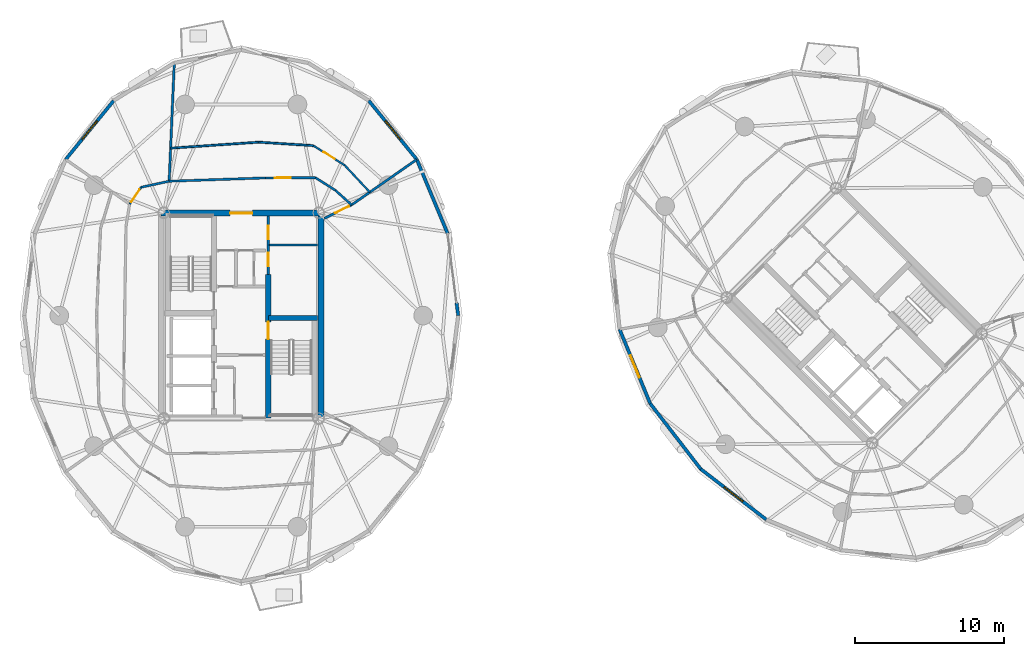
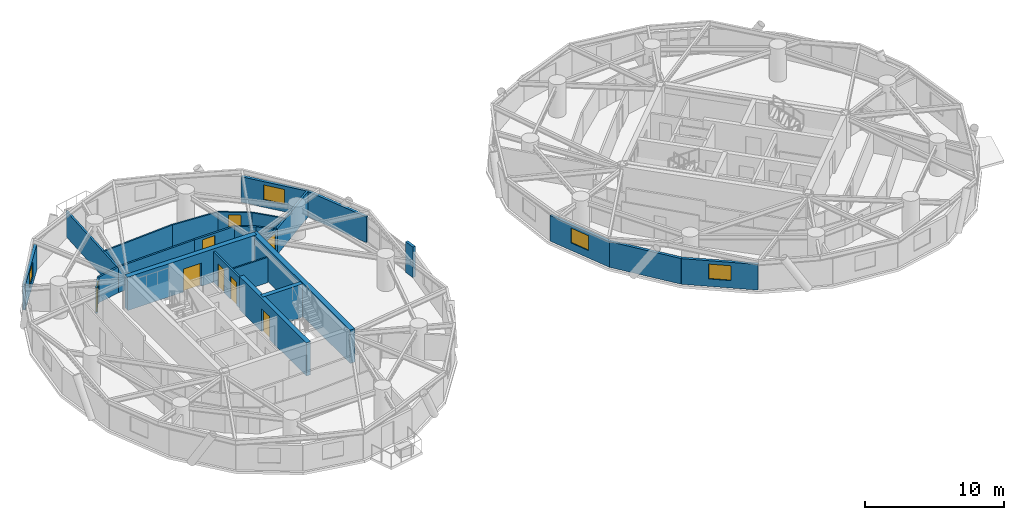
# One storey, part 10 of 17: 26 walls, 8 doors, 4 windows, 12 openings.
"""IFC4 building model written with IfcOpenShell, lengths in metres."""

from ifc_helpers import new_model, si_unit, direction, frame, frame_2d, origin, place, context, subcontext, project, spatial, rectangle, extrude, source, transform, mapped, material, layer, layer_set, type_object, element, fill, save


model = new_model("IFC4")

# Units and contexts
model_context = context("Model", 3, precision=1e-05, world=origin(), true_north=direction((0.0, 1.0)))
body_context = subcontext(model_context, "Body", "Model", "MODEL_VIEW")
ifc_project = project(units=[si_unit("LENGTHUNIT", "METRE"), si_unit("AREAUNIT", "SQUARE_METRE"), si_unit("VOLUMEUNIT", "CUBIC_METRE"), si_unit("PLANEANGLEUNIT", "RADIAN"), si_unit("MASSUNIT", "GRAM", prefix="KILO")], contexts=[model_context])

# Site, building, storey
site_placement = place(None, origin())
site = spatial("IfcSite", under=ifc_project, at=site_placement, CompositionType="ELEMENT")
building_placement = place(site_placement, origin())
building = spatial("IfcBuilding", under=site, at=building_placement, Name="Cununo Teusaquillo Station Towers", CompositionType="ELEMENT")
storey_placement = place(building_placement, frame((0.0, 0.0, 163.239990234375)))
storey = spatial("IfcBuildingStorey", under=building, at=storey_placement, Name="L51", CompositionType="ELEMENT", Elevation=163.239990234375)

# Wall, opening, door
ifc_material_1 = material(Name="Concrete C50/60", Category="concrete")
ifc_layer_1 = layer(ifc_material_1, 0.35009765625)
ifc_layer_set_1 = layer_set([ifc_layer_1], Name="Concrete C50/60")
wall_type_1 = type_object("IfcWallType", Name="WL-CORE-350", PredefinedType="SHEAR", material=ifc_layer_set_1)
wall_1_placement = place(storey_placement, frame((18.31494140625, 17.64990234375, 0.0), z_axis=(0.0, 0.0, 1.0), x_axis=(0.0, 1.0, 0.0)))
wall_1 = element("IfcWall", 1, at=wall_1_placement, inside=storey, type_object=wall_type_1, Name="L51 Tower A Core Shear Wall IE", PredefinedType="SHEAR", context=body_context, shape_type="SweptSolid", body=[
    extrude(rectangle(XDim=9.60009765625, YDim=0.35009765625, at=frame_2d((4.800048828125, 0.0))), origin(), (0.0, 0.0, 1.0), 2.909912109375),
])
shared_shape_1 = source(origin(), body_context, "Body", "SweptSolid", [
    extrude(rectangle(XDim=1.14990234375, YDim=2.02001953125, at=frame_2d((0.574951171875, 1.010009765625))), frame((0.0, 0.18505859375, 0.0), z_axis=(0.0, -1.0, 0.0), x_axis=(1.0, 0.0, 0.0)), (0.0, 0.0, 1.0), 0.3701171875),
])
opening_1_placement = place(wall_1_placement, frame((5.280029296875, 0.0, 0.0)))
opening_1 = element("IfcOpeningElement", 2, at=opening_1_placement, cuts=wall_1, Name="Opening D-ST1", PredefinedType="OPENING", context=body_context, shape_type="MappedRepresentation", body=[
    mapped(shared_shape_1, transform((0.0, 0.0, 0.0), x_axis=(1.0, 0.0, 0.0), y_axis=(0.0, 1.0, 0.0), z_axis=(0.0, 0.0, 1.0), scale=1.0)),
])
ifc_material_2 = material(Name="Galvanised fire-rated hollow steel door assembly", Category="steel")
door_type_1 = type_object("IfcDoorType", Name="DR-STAIR-1150", OperationType="NOTDEFINED", PredefinedType="DOOR", material=ifc_material_2)
shared_shape_2 = source(origin(), body_context, "Body", "SweptSolid", [
    extrude(rectangle(XDim=1.14990234375, YDim=2.02001953125, at=frame_2d((0.574951171875, 1.010009765625))), frame((0.0, 0.02490234375, 0.0), z_axis=(0.0, -1.0, 0.0), x_axis=(1.0, 0.0, 0.0)), (0.0, 0.0, 1.0), 0.050048828125),
])
door_1_placement = place(opening_1_placement, origin())
door_1 = element("IfcDoor", 3, at=door_1_placement, inside=storey, type_object=door_type_1, Name="L51 Tower A Exit Stair 2 Fire Door", OperationType="SINGLE_SWING_LEFT", OverallHeight=2.02001953125, OverallWidth=1.14990234375, PredefinedType="DOOR", context=body_context, shape_type="MappedRepresentation", body=[
    mapped(shared_shape_2, transform((0.0, 0.0, 0.0), x_axis=(1.0, 0.0, 0.0), y_axis=(0.0, 1.0, 0.0), z_axis=(0.0, 0.0, 1.0), scale=1.0)),
])
fill(opening_1, door_1)

# Walls
wall_2_placement = place(storey_placement, frame((18.31494140625, 24.344970703125, 0.0), z_axis=(0.0, 0.0, 1.0), x_axis=(1.0, 0.0, 0.0)))
element("IfcWall", 4, at=wall_2_placement, inside=storey, type_object=wall_type_1, Name="L51 Tower A Core Shear Wall ST2N", PredefinedType="SHEAR", context=body_context, shape_type="SweptSolid", body=[
    extrude(rectangle(XDim=3.28515625, YDim=0.35009765625, at=frame_2d((1.642578125, 0.0))), origin(), (0.0, 0.0, 1.0), 2.909912109375),
])
ifc_material_3 = material(Name="Concrete C50/60", Category="concrete")
ifc_layer_2 = layer(ifc_material_3, 0.39990234375)
ifc_layer_set_2 = layer_set([ifc_layer_2], Name="Concrete C50/60")
wall_type_2 = type_object("IfcWallType", Name="WL-CORE-400", PredefinedType="SHEAR", material=ifc_layer_set_2)
wall_3_placement = place(storey_placement, frame((21.85009765625, 17.449951171875, 0.0), z_axis=(0.0, 0.0, 1.0), x_axis=(0.0, 1.0, 0.0)))
element("IfcWall", 5, at=wall_3_placement, inside=storey, type_object=wall_type_2, Name="L51 Tower A Core Shear Wall E", PredefinedType="SHEAR", context=body_context, shape_type="SweptSolid", body=[
    extrude(rectangle(XDim=14.10009765625, YDim=0.39990234375, at=frame_2d((7.050048828125, 0.0))), origin(), (0.0, 0.0, 1.0), 2.909912109375),
])

# Wall, opening, door
wall_4_placement = place(storey_placement, frame((11.14990234375, 31.35009765625, 0.0), z_axis=(0.0, 0.0, 1.0), x_axis=(1.0, 0.0, 0.0)))
wall_4 = element("IfcWall", 6, at=wall_4_placement, inside=storey, type_object=wall_type_2, Name="L51 Tower A Core Shear Wall N", PredefinedType="SHEAR", context=body_context, shape_type="SweptSolid", body=[
    extrude(rectangle(XDim=10.7001953125, YDim=0.39990234375, at=frame_2d((5.35009765625, 0.0))), origin(), (0.0, 0.0, 1.0), 2.909912109375),
])
shared_shape_3 = source(origin(), body_context, "Body", "SweptSolid", [
    extrude(rectangle(XDim=1.5, YDim=2.02001953125, at=frame_2d((0.75, 1.010009765625))), frame((0.0, 0.2099609375, 0.0), z_axis=(0.0, -1.0, 0.0), x_axis=(1.0, 0.0, 0.0)), (0.0, 0.0, 1.0), 0.419921875),
])
opening_2_placement = place(wall_4_placement, frame((4.60009765625, 0.0, 0.0)))
opening_2 = element("IfcOpeningElement", 7, at=opening_2_placement, cuts=wall_4, Name="Opening D-LB1", PredefinedType="OPENING", context=body_context, shape_type="MappedRepresentation", body=[
    mapped(shared_shape_3, transform((0.0, 0.0, 0.0), x_axis=(1.0, 0.0, 0.0), y_axis=(0.0, 1.0, 0.0), z_axis=(0.0, 0.0, 1.0), scale=1.0)),
])
ifc_material_4 = material(Name="Galvanised fire-rated hollow steel door assembly", Category="steel")
door_type_2 = type_object("IfcDoorType", Name="DR-LOBBY-1500", OperationType="DOUBLE_DOOR_SINGLE_SWING", PredefinedType="DOOR", material=ifc_material_4)
shared_shape_4 = source(origin(), body_context, "Body", "SweptSolid", [
    extrude(rectangle(XDim=1.5, YDim=2.02001953125, at=frame_2d((0.75, 1.010009765625))), frame((0.0, 0.02490234375, 0.0), z_axis=(0.0, -1.0, 0.0), x_axis=(1.0, 0.0, 0.0)), (0.0, 0.0, 1.0), 0.050048828125),
])
door_2_placement = place(opening_2_placement, origin())
door_2 = element("IfcDoor", 8, at=door_2_placement, inside=storey, type_object=door_type_2, Name="L51 Tower A North Core Lift Lobby Door", OperationType="DOUBLE_DOOR_SINGLE_SWING", OverallHeight=2.02001953125, OverallWidth=1.5, PredefinedType="DOOR", context=body_context, shape_type="MappedRepresentation", body=[
    mapped(shared_shape_4, transform((0.0, 0.0, 0.0), x_axis=(1.0, 0.0, 0.0), y_axis=(0.0, 1.0, 0.0), z_axis=(0.0, 0.0, 1.0), scale=1.0)),
])
fill(opening_2, door_2)

# Walls
ifc_material_5 = material(Name="Precast concrete C40/50", Category="concrete")
ifc_layer_3 = layer(ifc_material_5, 0.219970703125)
ifc_layer_set_3 = layer_set([ifc_layer_3], Name="Precast concrete C40/50")
wall_type_3 = type_object("IfcWallType", Name="WL-EXT-220", PredefinedType="SOLIDWALL", material=ifc_layer_set_3)
wall_5_placement = place(storey_placement, frame((30.9033203125, 25.36279296875, 0.0), z_axis=(0.0, 0.0, 1.0), x_axis=(0.128247365719, -0.991742211054, 0.0)))
element("IfcWall", 9, at=wall_5_placement, inside=storey, type_object=wall_type_3, Name="L51 Tower A Column Pier Cladding Wall C00-PB", PredefinedType="SOLIDWALL", context=body_context, shape_type="SweptSolid", body=[
    extrude(rectangle(XDim=0.869873046875, YDim=0.219970703125, at=frame_2d((0.43505859375, 0.0))), origin(), (0.0, 0.0, 1.0), 2.675048828125),
])
wall_6_placement = place(storey_placement, frame((28.242919921875, 34.94482421875, 0.0), z_axis=(0.0, 0.0, 1.0), x_axis=(0.384259959969, -0.923224936386, 0.0)))
element("IfcWall", 10, at=wall_6_placement, inside=storey, type_object=wall_type_3, Name="L51 Tower A Exterior Facade Wall C01", PredefinedType="SOLIDWALL", context=body_context, shape_type="SweptSolid", body=[
    extrude(rectangle(XDim=5.365478515625, YDim=0.219970703125, at=frame_2d((2.6826171875, 0.0))), origin(), (0.0, 0.0, 1.0), 2.2451171875),
])

# Wall, opening, window
wall_7_placement = place(storey_placement, frame((25.03173828125, 38.876220703125, 0.0), z_axis=(0.0, 0.0, 1.0), x_axis=(0.632598524901, -0.774479894053, 0.0)))
wall_7 = element("IfcWall", 11, at=wall_7_placement, inside=storey, type_object=wall_type_3, Name="L51 Tower A Exterior Facade Wall C02", PredefinedType="SOLIDWALL", context=body_context, shape_type="SweptSolid", body=[
    extrude(rectangle(XDim=5.076171875, YDim=0.219970703125, at=frame_2d((2.5380859375, 0.0))), origin(), (0.0, 0.0, 1.0), 2.2451171875),
])
shared_shape_5 = source(origin(), body_context, "Body", "SweptSolid", [
    extrude(rectangle(XDim=1.60009765625, YDim=1.300048828125, at=frame_2d((0.800048828125, 0.64990234375))), frame((0.0, 0.119873046875, 0.0), z_axis=(0.0, -1.0, 0.0), x_axis=(1.0, 0.0, 0.0)), (0.0, 0.0, 1.0), 0.239990234375),
])
opening_3_placement = place(wall_7_placement, frame((1.738037109375, 0.0, 0.64990234375)))
opening_3 = element("IfcOpeningElement", 12, at=opening_3_placement, cuts=wall_7, Name="Opening WN-03", PredefinedType="OPENING", context=body_context, shape_type="MappedRepresentation", body=[
    mapped(shared_shape_5, transform((0.0, 0.0, 0.0), x_axis=(1.0, 0.0, 0.0), y_axis=(0.0, 1.0, 0.0), z_axis=(0.0, 0.0, 1.0), scale=1.0)),
])
ifc_material_6 = material(Name="Ceramic-fritted dark low-E double glazing", Category="glass")
window_type = type_object("IfcWindowType", Name="WIN-CORN-1600", PartitioningType="SINGLE_PANEL", PredefinedType="WINDOW", material=ifc_material_6)
shared_shape_6 = source(origin(), body_context, "Body", "SweptSolid", [
    extrude(rectangle(XDim=1.60009765625, YDim=1.300048828125, at=frame_2d((0.800048828125, 0.64990234375))), frame((0.0, 0.030029296875, 0.0), z_axis=(0.0, -1.0, 0.0), x_axis=(1.0, 0.0, 0.0)), (0.0, 0.0, 1.0), 0.06005859375),
])
window_1_placement = place(opening_3_placement, origin())
window_1 = element("IfcWindow", 13, at=window_1_placement, inside=storey, type_object=window_type, Name="L51 Tower A Facade Window C02", OverallHeight=1.300048828125, OverallWidth=1.60009765625, PartitioningType="SINGLE_PANEL", PredefinedType="WINDOW", context=body_context, shape_type="MappedRepresentation", body=[
    mapped(shared_shape_6, transform((0.0, 0.0, 0.0), x_axis=(1.0, 0.0, 0.0), y_axis=(0.0, 1.0, 0.0), z_axis=(0.0, 0.0, 1.0), scale=1.0)),
])
fill(opening_3, window_1)

wall_8_placement = place(storey_placement, frame((4.757080078125, 34.94482421875, 0.0), z_axis=(0.0, 0.0, 1.0), x_axis=(0.632598524901, 0.774479894053, 0.0)))
wall_8 = element("IfcWall", 14, at=wall_8_placement, inside=storey, type_object=wall_type_3, Name="L51 Tower A Exterior Facade Wall C07", PredefinedType="SOLIDWALL", context=body_context, shape_type="SweptSolid", body=[
    extrude(rectangle(XDim=5.076171875, YDim=0.219970703125, at=frame_2d((2.5380859375, 0.0))), origin(), (0.0, 0.0, 1.0), 2.2451171875),
])
opening_4_placement = place(wall_8_placement, frame((1.738037109375, 0.0, 0.64990234375)))
opening_4 = element("IfcOpeningElement", 15, at=opening_4_placement, cuts=wall_8, Name="Opening WN-03", PredefinedType="OPENING", context=body_context, shape_type="MappedRepresentation", body=[
    mapped(shared_shape_5, transform((0.0, 0.0, 0.0), x_axis=(1.0, 0.0, 0.0), y_axis=(0.0, 1.0, 0.0), z_axis=(0.0, 0.0, 1.0), scale=1.0)),
])
window_2_placement = place(opening_4_placement, origin())
window_2 = element("IfcWindow", 16, at=window_2_placement, inside=storey, type_object=window_type, Name="L51 Tower A Facade Window C07", OverallHeight=1.300048828125, OverallWidth=1.60009765625, PartitioningType="SINGLE_PANEL", PredefinedType="WINDOW", context=body_context, shape_type="MappedRepresentation", body=[
    mapped(shared_shape_6, transform((0.0, 0.0, 0.0), x_axis=(1.0, 0.0, 0.0), y_axis=(0.0, 1.0, 0.0), z_axis=(0.0, 0.0, 1.0), scale=1.0)),
])
fill(opening_4, window_2)

wall_9_placement = place(storey_placement, frame((43.855712890625, 18.62158203125, 0.0), z_axis=(0.0, 0.0, 1.0), x_axis=(-0.38111364655, 0.924528197738, 0.0)))
wall_9 = element("IfcWall", 17, at=wall_9_placement, inside=storey, type_object=wall_type_3, Name="L51 Tower B Exterior Facade Wall C08", PredefinedType="SOLIDWALL", context=body_context, shape_type="SweptSolid", body=[
    extrude(rectangle(XDim=5.36572265625, YDim=0.219970703125, at=frame_2d((2.682861328125, 0.0))), origin(), (0.0, 0.0, 1.0), 2.2451171875),
])
opening_5_placement = place(wall_9_placement, frame((1.883056640625, 0.0, 0.64990234375)))
opening_5 = element("IfcOpeningElement", 18, at=opening_5_placement, cuts=wall_9, Name="Opening WN-03", PredefinedType="OPENING", context=body_context, shape_type="MappedRepresentation", body=[
    mapped(shared_shape_5, transform((0.0, 0.0, 0.0), x_axis=(1.0, 0.0, 0.0), y_axis=(0.0, 1.0, 0.0), z_axis=(0.0, 0.0, 1.0), scale=1.0)),
])
window_3_placement = place(opening_5_placement, origin())
window_3 = element("IfcWindow", 19, at=window_3_placement, inside=storey, type_object=window_type, Name="L51 Tower B Facade Window C08", OverallHeight=1.300048828125, OverallWidth=1.60009765625, PartitioningType="SINGLE_PANEL", PredefinedType="WINDOW", context=body_context, shape_type="MappedRepresentation", body=[
    mapped(shared_shape_6, transform((0.0, 0.0, 0.0), x_axis=(1.0, 0.0, 0.0), y_axis=(0.0, 1.0, 0.0), z_axis=(0.0, 0.0, 1.0), scale=1.0)),
])
fill(opening_5, window_3)

# Wall
wall_10_placement = place(storey_placement, frame((47.236328125, 14.236328125, 0.0), z_axis=(0.0, 0.0, 1.0), x_axis=(-0.610543584779, 0.791982658323, 0.0)))
element("IfcWall", 20, at=wall_10_placement, inside=storey, type_object=wall_type_3, Name="L51 Tower B Exterior Facade Wall C09", PredefinedType="SOLIDWALL", context=body_context, shape_type="SweptSolid", body=[
    extrude(rectangle(XDim=5.537109375, YDim=0.219970703125, at=frame_2d((2.7685546875, 0.0))), origin(), (0.0, 0.0, 1.0), 2.2451171875),
])

# Wall, opening, window
wall_11_placement = place(storey_placement, frame((51.62158203125, 10.855712890625, 0.0), z_axis=(0.0, 0.0, 1.0), x_axis=(-0.791982658323, 0.610543584779, 0.0)))
wall_11 = element("IfcWall", 21, at=wall_11_placement, inside=storey, type_object=wall_type_3, Name="L51 Tower B Exterior Facade Wall C10", PredefinedType="SOLIDWALL", context=body_context, shape_type="SweptSolid", body=[
    extrude(rectangle(XDim=5.537109375, YDim=0.219970703125, at=frame_2d((2.7685546875, 0.0))), origin(), (0.0, 0.0, 1.0), 2.2451171875),
])
opening_6_placement = place(wall_11_placement, frame((1.968017578125, 0.0, 0.64990234375)))
opening_6 = element("IfcOpeningElement", 22, at=opening_6_placement, cuts=wall_11, Name="Opening WN-03", PredefinedType="OPENING", context=body_context, shape_type="MappedRepresentation", body=[
    mapped(shared_shape_5, transform((0.0, 0.0, 0.0), x_axis=(1.0, 0.0, 0.0), y_axis=(0.0, 1.0, 0.0), z_axis=(0.0, 0.0, 1.0), scale=1.0)),
])
window_4_placement = place(opening_6_placement, origin())
window_4 = element("IfcWindow", 23, at=window_4_placement, inside=storey, type_object=window_type, Name="L51 Tower B Facade Window C10", OverallHeight=1.300048828125, OverallWidth=1.60009765625, PartitioningType="SINGLE_PANEL", PredefinedType="WINDOW", context=body_context, shape_type="MappedRepresentation", body=[
    mapped(shared_shape_6, transform((0.0, 0.0, 0.0), x_axis=(1.0, 0.0, 0.0), y_axis=(0.0, 1.0, 0.0), z_axis=(0.0, 0.0, 1.0), scale=1.0)),
])
fill(opening_6, window_4)

# Walls
ifc_material_7 = material(Name="Fire-rated gypsum plasterboard partition assembly", Category="gypsum")
ifc_layer_4 = layer(ifc_material_7, 0.125)
ifc_layer_set_4 = layer_set([ifc_layer_4], Name="Fire-rated gypsum plasterboard partition assembly")
wall_type_4 = type_object("IfcWallType", Name="WL-PART-125", PredefinedType="PARTITIONING", material=ifc_layer_set_4)
wall_12_placement = place(storey_placement, frame((18.3798828125, 29.219970703125, 0.0), z_axis=(0.0, 0.0, 1.0), x_axis=(1.0, 0.0, 0.0)))
element("IfcWall", 24, at=wall_12_placement, inside=storey, type_object=wall_type_4, Name="L51 Tower A Reclaimed Bay Divider Wall", PredefinedType="PARTITIONING", context=body_context, shape_type="SweptSolid", body=[
    extrude(rectangle(XDim=3.22021484375, YDim=0.125, at=frame_2d((1.610107421875, 0.0))), origin(), (0.0, 0.0, 1.0), 2.2119140625),
])
wall_13_placement = place(storey_placement, frame((25.10205078125, 32.75390625, 0.0), z_axis=(0.0, 0.0, 1.0), x_axis=(-0.682434647851, 0.730946613243, 0.0)))
element("IfcWall", 25, at=wall_13_placement, inside=storey, type_object=wall_type_4, Name="L51 Tower A High-Zone Club Reading & Dining Hall Concentric Partition Wall C02", PredefinedType="PARTITIONING", context=body_context, shape_type="SweptSolid", body=[
    extrude(rectangle(XDim=2.466064453125, YDim=0.125, at=frame_2d((1.23291015625, 0.0))), origin(), (0.0, 0.0, 1.0), 2.2451171875),
])

# Wall, opening, door
wall_14_placement = place(storey_placement, frame((23.419189453125, 34.556396484375, 0.0), z_axis=(0.0, 0.0, 1.0), x_axis=(-0.846723136015, 0.532033768605, 0.0)))
wall_14 = element("IfcWall", 26, at=wall_14_placement, inside=storey, type_object=wall_type_4, Name="L51 Tower A High-Zone Club Reading & Dining Hall Concentric Partition Wall C03", PredefinedType="PARTITIONING", context=body_context, shape_type="SweptSolid", body=[
    extrude(rectangle(XDim=2.4677734375, YDim=0.125, at=frame_2d((1.23388671875, 0.0))), origin(), (0.0, 0.0, 1.0), 2.2451171875),
])
shared_shape_7 = source(origin(), body_context, "Body", "SweptSolid", [
    extrude(rectangle(XDim=0.89990234375, YDim=2.0048828125, at=frame_2d((0.449951171875, 1.00244140625))), frame((0.0, 0.072509765625, 0.0), z_axis=(0.0, -1.0, 0.0), x_axis=(1.0, 0.0, 0.0)), (0.0, 0.0, 1.0), 0.14501953125),
])
opening_7_placement = place(wall_14_placement, frame((0.783935546875, 0.0, 0.0)))
opening_7 = element("IfcOpeningElement", 27, at=opening_7_placement, cuts=wall_14, Name="Opening D-IN1", PredefinedType="OPENING", context=body_context, shape_type="MappedRepresentation", body=[
    mapped(shared_shape_7, transform((0.0, 0.0, 0.0), x_axis=(1.0, 0.0, 0.0), y_axis=(0.0, 1.0, 0.0), z_axis=(0.0, 0.0, 1.0), scale=1.0)),
])
ifc_material_8 = material(Name="Acoustic solid-core hardwood leaf assembly", Category="wood")
door_type_3 = type_object("IfcDoorType", Name="DR-INT-900", OperationType="NOTDEFINED", PredefinedType="DOOR", material=ifc_material_8)
shared_shape_8 = source(origin(), body_context, "Body", "SweptSolid", [
    extrude(rectangle(XDim=0.89990234375, YDim=2.0048828125, at=frame_2d((0.449951171875, 1.00244140625))), frame((0.0, 0.02490234375, 0.0), z_axis=(0.0, -1.0, 0.0), x_axis=(1.0, 0.0, 0.0)), (0.0, 0.0, 1.0), 0.050048828125),
])
door_3_placement = place(opening_7_placement, origin())
door_3 = element("IfcDoor", 28, at=door_3_placement, inside=storey, type_object=door_type_3, Name="L51 Tower A High-Zone Club Reading & Dining Hall Connecting Door", OperationType="SINGLE_SWING_RIGHT", OverallHeight=2.0048828125, OverallWidth=0.89990234375, PredefinedType="DOOR", context=body_context, shape_type="MappedRepresentation", body=[
    mapped(shared_shape_8, transform((0.0, 0.0, 0.0), x_axis=(1.0, 0.0, 0.0), y_axis=(0.0, 1.0, 0.0), z_axis=(0.0, 0.0, 1.0), scale=1.0)),
])
fill(opening_7, door_3)

# Walls
wall_15_placement = place(storey_placement, frame((21.32958984375, 35.869384765625, 0.0), z_axis=(0.0, 0.0, 1.0), x_axis=(-0.998008048565, 0.063086726015, 0.0)))
element("IfcWall", 29, at=wall_15_placement, inside=storey, type_object=wall_type_4, Name="L51 Tower A High-Zone Club Reading & Dining Hall Concentric Partition Wall C04", PredefinedType="PARTITIONING", context=body_context, shape_type="SweptSolid", body=[
    extrude(rectangle(XDim=3.668701171875, YDim=0.125, at=frame_2d((1.83447265625, 0.0))), origin(), (0.0, 0.0, 1.0), 2.2451171875),
])
wall_16_placement = place(storey_placement, frame((17.668212890625, 36.100830078125, 0.0), z_axis=(0.0, 0.0, 1.0), x_axis=(-0.997685095246, -0.068003314066, 0.0)))
element("IfcWall", 30, at=wall_16_placement, inside=storey, type_object=wall_type_4, Name="L51 Tower A High-Zone Club Reading & Dining Hall Concentric Partition Wall C05", PredefinedType="PARTITIONING", context=body_context, shape_type="SweptSolid", body=[
    extrude(rectangle(XDim=5.90576171875, YDim=0.125, at=frame_2d((2.952880859375, 0.0))), origin(), (0.0, 0.0, 1.0), 2.2451171875),
])
ifc_material_9 = material(Name="Fire-rated gypsum plasterboard partition assembly", Category="gypsum")
ifc_layer_5 = layer(ifc_material_9, 0.14990234375)
ifc_layer_set_5 = layer_set([ifc_layer_5], Name="Fire-rated gypsum plasterboard partition assembly")
wall_type_5 = type_object("IfcWallType", Name="WL-PART-150", PredefinedType="PARTITIONING", material=ifc_layer_set_5)
wall_17_placement = place(storey_placement, frame((23.886962890625, 31.90625, 0.0), z_axis=(0.0, 0.0, 1.0), x_axis=(-0.744900957214, 0.66717506244, 0.0)))
element("IfcWall", 31, at=wall_17_placement, inside=storey, type_object=wall_type_5, Name="L51 Tower A Corridor Ring Wall C02", PredefinedType="PARTITIONING", context=body_context, shape_type="SweptSolid", body=[
    extrude(rectangle(XDim=1.463623046875, YDim=0.14990234375, at=frame_2d((0.73193359375, 0.0))), origin(), (0.0, 0.0, 1.0), 2.2451171875),
])
wall_18_placement = place(storey_placement, frame((22.796630859375, 32.8828125, 0.0), z_axis=(0.0, 0.0, 1.0), x_axis=(-0.84484009232, 0.535018895375, 0.0)))
element("IfcWall", 32, at=wall_18_placement, inside=storey, type_object=wall_type_5, Name="L51 Tower A Corridor Ring Wall C03", PredefinedType="PARTITIONING", context=body_context, shape_type="SweptSolid", body=[
    extrude(rectangle(XDim=1.5751953125, YDim=0.14990234375, at=frame_2d((0.78759765625, 0.0))), origin(), (0.0, 0.0, 1.0), 2.2451171875),
])

# Wall, opening, door
wall_19_placement = place(storey_placement, frame((21.4658203125, 33.7255859375, 0.0), z_axis=(0.0, 0.0, 1.0), x_axis=(-0.99998838579, -0.004819573058, 0.0)))
wall_19 = element("IfcWall", 33, at=wall_19_placement, inside=storey, type_object=wall_type_5, Name="L51 Tower A Corridor Ring Wall C04", PredefinedType="PARTITIONING", context=body_context, shape_type="SweptSolid", body=[
    extrude(rectangle(XDim=3.34326171875, YDim=0.14990234375, at=frame_2d((1.671630859375, 0.0))), origin(), (0.0, 0.0, 1.0), 2.2451171875),
])
shared_shape_9 = source(origin(), body_context, "Body", "SweptSolid", [
    extrude(rectangle(XDim=1.050048828125, YDim=2.014892578125, at=frame_2d((0.52490234375, 1.00732421875))), frame((0.0, 0.0849609375, 0.0), z_axis=(0.0, -1.0, 0.0), x_axis=(1.0, 0.0, 0.0)), (0.0, 0.0, 1.0), 0.169921875),
])
opening_8_placement = place(wall_19_placement, frame((1.659912109375, 0.0, 0.0)))
opening_8 = element("IfcOpeningElement", 34, at=opening_8_placement, cuts=wall_19, Name="Opening D-SU1", PredefinedType="OPENING", context=body_context, shape_type="MappedRepresentation", body=[
    mapped(shared_shape_9, transform((0.0, 0.0, 0.0), x_axis=(1.0, 0.0, 0.0), y_axis=(0.0, 1.0, 0.0), z_axis=(0.0, 0.0, 1.0), scale=1.0)),
])
ifc_material_10 = material(Name="Acoustic solid-core hardwood leaf assembly", Category="wood")
door_type_4 = type_object("IfcDoorType", Name="DR-SUITE-1050", OperationType="NOTDEFINED", PredefinedType="DOOR", material=ifc_material_10)
shared_shape_10 = source(origin(), body_context, "Body", "SweptSolid", [
    extrude(rectangle(XDim=1.050048828125, YDim=2.014892578125, at=frame_2d((0.52490234375, 1.00732421875))), frame((0.0, 0.02490234375, 0.0), z_axis=(0.0, -1.0, 0.0), x_axis=(1.0, 0.0, 0.0)), (0.0, 0.0, 1.0), 0.050048828125),
])
door_4_placement = place(opening_8_placement, origin())
door_4 = element("IfcDoor", 35, at=door_4_placement, inside=storey, type_object=door_type_4, Name="L51 Tower A High-Zone Club Reading & Dining Hall Entrance Door", OperationType="SINGLE_SWING_LEFT", OverallHeight=2.014892578125, OverallWidth=1.050048828125, PredefinedType="DOOR", context=body_context, shape_type="MappedRepresentation", body=[
    mapped(shared_shape_10, transform((0.0, 0.0, 0.0), x_axis=(1.0, 0.0, 0.0), y_axis=(0.0, 1.0, 0.0), z_axis=(0.0, 0.0, 1.0), scale=1.0)),
])
fill(opening_8, door_4)

# Walls
wall_20_placement = place(storey_placement, frame((18.12255859375, 33.70947265625, 0.0), z_axis=(0.0, 0.0, 1.0), x_axis=(-0.999417459976, -0.034128297572, 0.0)))
element("IfcWall", 36, at=wall_20_placement, inside=storey, type_object=wall_type_5, Name="L51 Tower A Corridor Ring Wall C05", PredefinedType="PARTITIONING", context=body_context, shape_type="SweptSolid", body=[
    extrude(rectangle(XDim=6.4453125, YDim=0.14990234375, at=frame_2d((3.22265625, 0.0))), origin(), (0.0, 0.0, 1.0), 2.2451171875),
])
wall_21_placement = place(storey_placement, frame((11.680908203125, 33.489501953125, 0.0), z_axis=(0.0, 0.0, 1.0), x_axis=(-0.977628265995, -0.2103401377, 0.0)))
element("IfcWall", 37, at=wall_21_placement, inside=storey, type_object=wall_type_5, Name="L51 Tower A Corridor Ring Wall C06", PredefinedType="PARTITIONING", context=body_context, shape_type="SweptSolid", body=[
    extrude(rectangle(XDim=1.91162109375, YDim=0.14990234375, at=frame_2d((0.955810546875, 0.0))), origin(), (0.0, 0.0, 1.0), 2.2451171875),
])

# Wall, opening, door
wall_22_placement = place(storey_placement, frame((9.81201171875, 33.08740234375, 0.0), z_axis=(0.0, 0.0, 1.0), x_axis=(-0.567811958729, -0.823158295545, 0.0)))
wall_22 = element("IfcWall", 38, at=wall_22_placement, inside=storey, type_object=wall_type_5, Name="L51 Tower A Corridor Ring Wall C07", PredefinedType="PARTITIONING", context=body_context, shape_type="SweptSolid", body=[
    extrude(rectangle(XDim=1.3720703125, YDim=0.14990234375, at=frame_2d((0.68603515625, 0.0))), origin(), (0.0, 0.0, 1.0), 2.2451171875),
])
shared_shape_11 = source(origin(), body_context, "Body", "SweptSolid", [
    extrude(rectangle(XDim=1.0, YDim=2.014892578125, at=frame_2d((0.5, 1.00732421875))), frame((0.0, 0.0849609375, 0.0), z_axis=(0.0, -1.0, 0.0), x_axis=(1.0, 0.0, 0.0)), (0.0, 0.0, 1.0), 0.169921875),
])
opening_9_placement = place(wall_22_placement, frame((0.18603515625, 0.0, 0.0)))
opening_9 = element("IfcOpeningElement", 39, at=opening_9_placement, cuts=wall_22, Name="Opening D-AC1", PredefinedType="OPENING", context=body_context, shape_type="MappedRepresentation", body=[
    mapped(shared_shape_11, transform((0.0, 0.0, 0.0), x_axis=(1.0, 0.0, 0.0), y_axis=(0.0, 1.0, 0.0), z_axis=(0.0, 0.0, 1.0), scale=1.0)),
])
ifc_material_11 = material(Name="Acoustic solid-core hardwood leaf assembly", Category="wood")
door_type_5 = type_object("IfcDoorType", Name="DR-ACC-1000", OperationType="NOTDEFINED", PredefinedType="DOOR", material=ifc_material_11)
shared_shape_12 = source(origin(), body_context, "Body", "SweptSolid", [
    extrude(rectangle(XDim=1.0, YDim=2.014892578125, at=frame_2d((0.5, 1.00732421875))), frame((0.0, 0.02490234375, 0.0), z_axis=(0.0, -1.0, 0.0), x_axis=(1.0, 0.0, 0.0)), (0.0, 0.0, 1.0), 0.050048828125),
])
door_5_placement = place(opening_9_placement, origin())
door_5 = element("IfcDoor", 40, at=door_5_placement, inside=storey, type_object=door_type_5, Name="L51 Tower A Public Accessible Restroom WC Entrance Door", OperationType="SINGLE_SWING_LEFT", OverallHeight=2.014892578125, OverallWidth=1.0, PredefinedType="DOOR", context=body_context, shape_type="MappedRepresentation", body=[
    mapped(shared_shape_12, transform((0.0, 0.0, 0.0), x_axis=(1.0, 0.0, 0.0), y_axis=(0.0, 1.0, 0.0), z_axis=(0.0, 0.0, 1.0), scale=1.0)),
])
fill(opening_9, door_5)

# Wall, openings, doors
ifc_material_12 = material(Name="Fire-rated gypsum plasterboard partition assembly", Category="gypsum")
ifc_layer_6 = layer(ifc_material_12, 0.159912109375)
ifc_layer_set_6 = layer_set([ifc_layer_6], Name="Fire-rated gypsum plasterboard partition assembly")
wall_type_6 = type_object("IfcWallType", Name="WL-PART-160", PredefinedType="PARTITIONING", material=ifc_layer_set_6)
wall_23_placement = place(storey_placement, frame((18.31494140625, 27.25, 0.0), z_axis=(0.0, 0.0, 1.0), x_axis=(0.0, 1.0, 0.0)))
wall_23 = element("IfcWall", 41, at=wall_23_placement, inside=storey, type_object=wall_type_6, Name="L51 Tower A Reclaimed Core Bay Entry Wall", PredefinedType="PARTITIONING", context=body_context, shape_type="SweptSolid", body=[
    extrude(rectangle(XDim=3.89990234375, YDim=0.159912109375, at=frame_2d((1.949951171875, 0.0))), origin(), (0.0, 0.0, 1.0), 2.675048828125),
])
shared_shape_13 = source(origin(), body_context, "Body", "SweptSolid", [
    extrude(rectangle(XDim=0.89990234375, YDim=2.0048828125, at=frame_2d((0.449951171875, 1.00244140625))), frame((0.0, 0.08984375, 0.0), z_axis=(0.0, -1.0, 0.0), x_axis=(1.0, 0.0, 0.0)), (0.0, 0.0, 1.0), 0.179931640625),
])
opening_10_placement = place(wall_23_placement, frame((0.550048828125, 0.0, 0.0)))
opening_10 = element("IfcOpeningElement", 42, at=opening_10_placement, cuts=wall_23, Name="Opening D-IN1", PredefinedType="OPENING", context=body_context, shape_type="MappedRepresentation", body=[
    mapped(shared_shape_13, transform((0.0, 0.0, 0.0), x_axis=(1.0, 0.0, 0.0), y_axis=(0.0, 1.0, 0.0), z_axis=(0.0, 0.0, 1.0), scale=1.0)),
])
opening_11_placement = place(wall_23_placement, frame((2.35009765625, 0.0, 0.0)))
opening_11 = element("IfcOpeningElement", 43, at=opening_11_placement, cuts=wall_23, Name="Opening D-IN1", PredefinedType="OPENING", context=body_context, shape_type="MappedRepresentation", body=[
    mapped(shared_shape_13, transform((0.0, 0.0, 0.0), x_axis=(1.0, 0.0, 0.0), y_axis=(0.0, 1.0, 0.0), z_axis=(0.0, 0.0, 1.0), scale=1.0)),
])
door_6_placement = place(opening_10_placement, origin())
door_6 = element("IfcDoor", 44, at=door_6_placement, inside=storey, type_object=door_type_3, Name="L51 Tower A Reclaimed Core Study Door", OperationType="SINGLE_SWING_LEFT", OverallHeight=2.0048828125, OverallWidth=0.89990234375, PredefinedType="DOOR", context=body_context, shape_type="MappedRepresentation", body=[
    mapped(shared_shape_8, transform((0.0, 0.0, 0.0), x_axis=(1.0, 0.0, 0.0), y_axis=(0.0, 1.0, 0.0), z_axis=(0.0, 0.0, 1.0), scale=1.0)),
])
fill(opening_10, door_6)
door_7_placement = place(opening_11_placement, origin())
door_7 = element("IfcDoor", 45, at=door_7_placement, inside=storey, type_object=door_type_3, Name="L51 Tower A Reclaimed Core Pantry Door", OperationType="SINGLE_SWING_RIGHT", OverallHeight=2.0048828125, OverallWidth=0.89990234375, PredefinedType="DOOR", context=body_context, shape_type="MappedRepresentation", body=[
    mapped(shared_shape_8, transform((0.0, 0.0, 0.0), x_axis=(1.0, 0.0, 0.0), y_axis=(0.0, 1.0, 0.0), z_axis=(0.0, 0.0, 1.0), scale=1.0)),
])
fill(opening_11, door_7)

# Walls
wall_24_placement = place(storey_placement, frame((23.886962890625, 31.90625, 0.0), z_axis=(0.0, 0.0, 1.0), x_axis=(0.820210533929, 0.572061779908, 0.0)))
element("IfcWall", 46, at=wall_24_placement, inside=storey, type_object=wall_type_6, Name="L51 Tower A Radial Suite Partition R01", PredefinedType="PARTITIONING", context=body_context, shape_type="SweptSolid", body=[
    extrude(rectangle(XDim=5.291015625, YDim=0.159912109375, at=frame_2d((2.6455078125, 0.0))), origin(), (0.0, 0.0, 1.0), 2.2451171875),
])
wall_25_placement = place(storey_placement, frame((11.680908203125, 33.489501953125, 0.0), z_axis=(0.0, 0.0, 1.0), x_axis=(0.043022772958, 0.999074091851, 0.0)))
element("IfcWall", 47, at=wall_25_placement, inside=storey, type_object=wall_type_6, Name="L51 Tower A Radial Suite Partition R02", PredefinedType="PARTITIONING", context=body_context, shape_type="SweptSolid", body=[
    extrude(rectangle(XDim=7.899169921875, YDim=0.159912109375, at=frame_2d((3.94970703125, 0.0))), origin(), (0.0, 0.0, 1.0), 2.2451171875),
])

# Wall, opening, door
wall_26_placement = place(storey_placement, frame((22.050048828125, 31.0, 0.0), z_axis=(0.0, 0.0, 1.0), x_axis=(0.896798317999, 0.442439574218, 0.0)))
wall_26 = element("IfcWall", 48, at=wall_26_placement, inside=storey, type_object=wall_type_6, Name="L51 Tower A East Salon Corridor Portal Wall NE", PredefinedType="PARTITIONING", context=body_context, shape_type="SweptSolid", body=[
    extrude(rectangle(XDim=2.04833984375, YDim=0.159912109375, at=frame_2d((1.024169921875, 0.0))), origin(), (0.0, 0.0, 1.0), 2.2451171875),
])
shared_shape_14 = source(origin(), body_context, "Body", "SweptSolid", [
    extrude(rectangle(XDim=1.050048828125, YDim=2.014892578125, at=frame_2d((0.52490234375, 1.00732421875))), frame((0.0, 0.08984375, 0.0), z_axis=(0.0, -1.0, 0.0), x_axis=(1.0, 0.0, 0.0)), (0.0, 0.0, 1.0), 0.179931640625),
])
opening_12_placement = place(wall_26_placement, frame((0.79833984375, 0.0, 0.0)))
opening_12 = element("IfcOpeningElement", 49, at=opening_12_placement, cuts=wall_26, Name="Opening D-SU1", PredefinedType="OPENING", context=body_context, shape_type="MappedRepresentation", body=[
    mapped(shared_shape_14, transform((0.0, 0.0, 0.0), x_axis=(1.0, 0.0, 0.0), y_axis=(0.0, 1.0, 0.0), z_axis=(0.0, 0.0, 1.0), scale=1.0)),
])
door_8_placement = place(opening_12_placement, origin())
door_8 = element("IfcDoor", 50, at=door_8_placement, inside=storey, type_object=door_type_4, Name="L51 Tower A East Panorama Sky Salon Door NE", OperationType="SINGLE_SWING_LEFT", OverallHeight=2.014892578125, OverallWidth=1.050048828125, PredefinedType="DOOR", context=body_context, shape_type="MappedRepresentation", body=[
    mapped(shared_shape_10, transform((0.0, 0.0, 0.0), x_axis=(1.0, 0.0, 0.0), y_axis=(0.0, 1.0, 0.0), z_axis=(0.0, 0.0, 1.0), scale=1.0)),
])
fill(opening_12, door_8)

save(model, "model.ifc")
